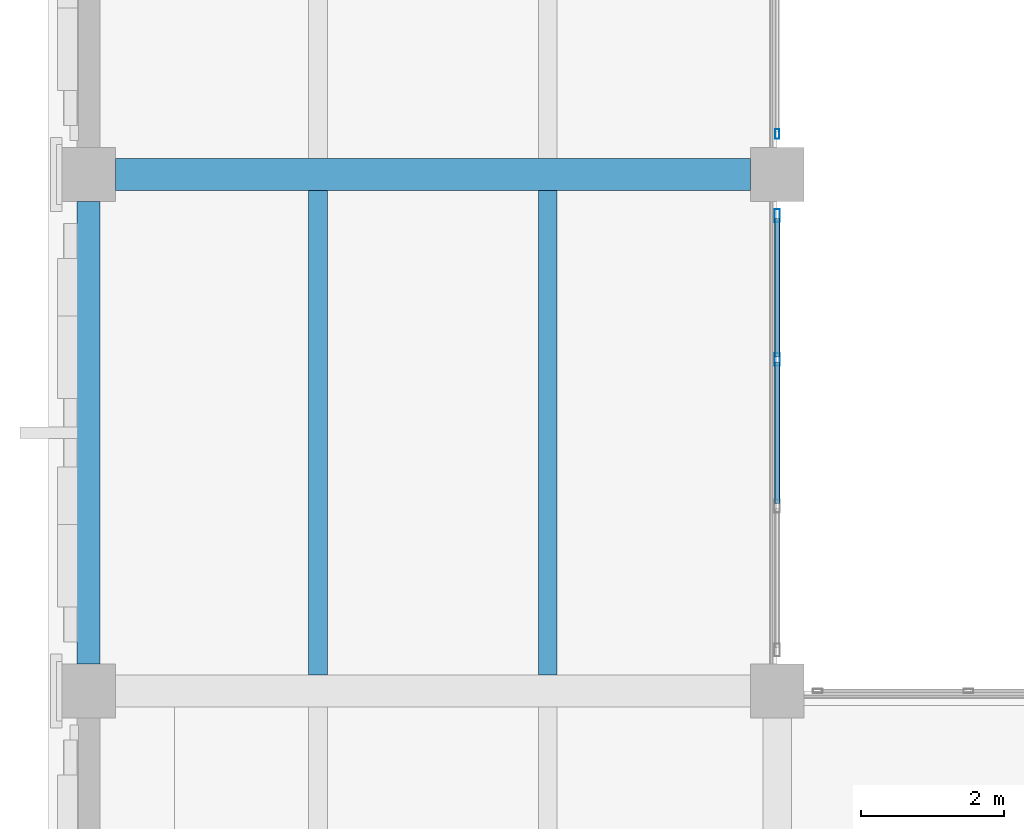
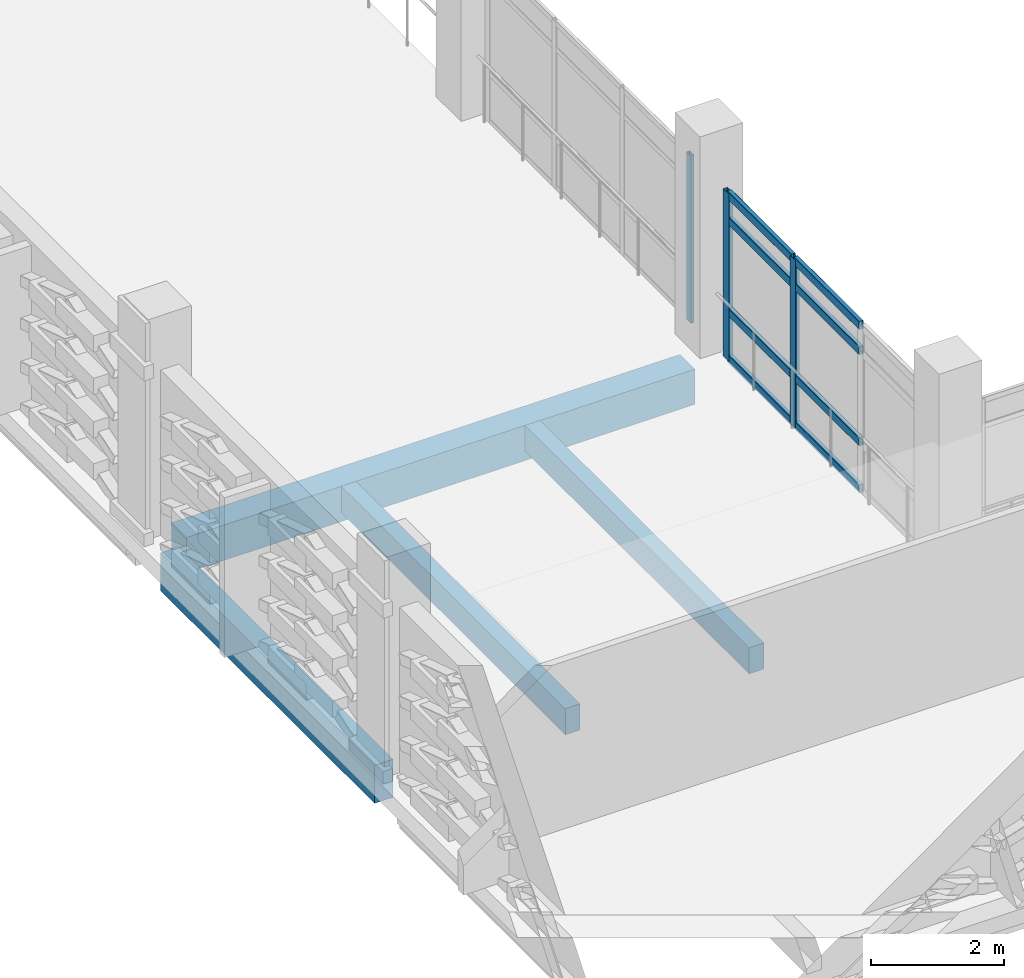
# One storey, part 85 of 180: 11 members, 4 beams, 2 elements without a shape of their own.
"""IFC4 building model written with IfcOpenShell, lengths in metres."""

from ifc_helpers import new_model, si_unit, direction, frame, origin, origin_2d, place, context, subcontext, project, spatial, rectangle, hollow_rectangle, extrude, material, layer, layer_set, material_profile, profile_set, type_object, element, aggregate, save


model = new_model("IFC4")

# Units and contexts
model_context = context("Model", 3, precision=1e-05, world=origin(), true_north=direction((0.0, 1.0)))
body_context = subcontext(model_context, "Body", "Model", "MODEL_VIEW")
ifc_project = project(units=[si_unit("LENGTHUNIT", "METRE"), si_unit("AREAUNIT", "SQUARE_METRE"), si_unit("VOLUMEUNIT", "CUBIC_METRE"), si_unit("PLANEANGLEUNIT", "RADIAN"), si_unit("MASSUNIT", "GRAM", prefix="KILO")], contexts=[model_context])

# Site, building, storey
site_placement = place(None, origin())
site = spatial("IfcSite", under=ifc_project, at=site_placement, CompositionType="ELEMENT")
building_placement = place(site_placement, origin())
building = spatial("IfcBuilding", under=site, at=building_placement, Name="Asteropetra Specialist Clinic", CompositionType="ELEMENT")
storey_placement = place(building_placement, frame((0.0, 0.0, 4.419921875)))
storey = spatial("IfcBuildingStorey", under=building, at=storey_placement, Name="L01", CompositionType="ELEMENT", Elevation=4.419921875)

# Beam
ifc_material_1 = material(Name="Concrete C35/45", Category="concrete")
ifc_material_profile_1 = material_profile(ifc_material_1, rectangle(XDim=0.449951171875, YDim=0.64990234375, at=origin_2d()), Name="RCB 450x650")
ifc_profile_set_1 = profile_set([ifc_material_profile_1], Name="Concrete C35/45")
beam_type_1 = type_object("IfcBeamType", Name="BM-RC450x650", PredefinedType="BEAM", material=ifc_profile_set_1)
beam_1_placement = place(storey_placement, frame((0.375, 84.0, -0.60498046875), z_axis=(1.0, 0.0, 0.0), x_axis=(0.0, 1.0, 0.0)))
element("IfcBeam", 1, at=beam_1_placement, inside=storey, type_object=beam_type_1, Name="Beam BBM06-0638", PredefinedType="BEAM", context=body_context, shape_type="SweptSolid", body=[
    extrude(rectangle(XDim=0.449951171875, YDim=0.64990234375, at=origin_2d()), origin(), (0.0, 0.0, 1.0), 8.85009765625),
])

# Curtain wall, member
ifc_material_2 = material(Name="Aluminium and low-E glass", Category="aluminium")
ifc_layer_1 = layer(ifc_material_2, 0.14990234375)
ifc_layer_set_1 = layer_set([ifc_layer_1], Name="Aluminium and low-E glass")
curtain_wall_type_1 = type_object("IfcCurtainWallType", Name="CW-SYS-05", PredefinedType="USERDEFINED", material=ifc_layer_set_1)
curtain_wall_1_placement = place(storey_placement, origin())
curtain_wall_1 = element("IfcCurtainWall", 2, at=curtain_wall_1_placement, inside=storey, type_object=curtain_wall_type_1, Name="Curtain Wall CW-023", ObjectType="UNITISED CURTAIN WALL", PredefinedType="USERDEFINED")
ifc_material_3 = material(Name="Aluminium 6063-T6", Category="aluminium")
ifc_material_profile_2 = material_profile(ifc_material_3, hollow_rectangle(XDim=0.06005859375, YDim=0.135009765625, WallThickness=0.00341796875, InnerFilletRadius=0.00341796875, OuterFilletRadius=0.007080078125, at=origin_2d()), Name="MUL 135x60x3.5")
ifc_profile_set_2 = profile_set([ifc_material_profile_2], Name="Aluminium 6063-T6")
member_type_1 = type_object("IfcMemberType", Name="CWM-135x60", PredefinedType="MULLION", material=ifc_profile_set_2)
member_1_placement = place(storey_placement, frame((9.60009765625, 84.56494140625, 0.0), z_axis=(0.0, 0.0, 1.0), x_axis=(1.0, 0.0, 0.0)))
member_1 = element("IfcMember", 3, at=member_1_placement, type_object=member_type_1, Name="CW-023 mullion 4", PredefinedType="MULLION", context=body_context, shape_type="SweptSolid", body=[
    extrude(hollow_rectangle(XDim=0.06005859375, YDim=0.135009765625, WallThickness=0.00341796875, InnerFilletRadius=0.00341796875, OuterFilletRadius=0.007080078125, at=origin_2d()), origin(), (0.0, 0.0, 1.0), 3.080078125),
])
aggregate(curtain_wall_1, [member_1])

# Curtain wall, members
ifc_material_4 = material(Name="Aluminium and low-E glass", Category="aluminium")
ifc_layer_2 = layer(ifc_material_4, 0.179931640625)
ifc_layer_set_2 = layer_set([ifc_layer_2], Name="Aluminium and low-E glass")
curtain_wall_type_2 = type_object("IfcCurtainWallType", Name="CW-SYS-04", PredefinedType="USERDEFINED", material=ifc_layer_set_2)
curtain_wall_2_placement = place(storey_placement, origin())
curtain_wall_2 = element("IfcCurtainWall", 4, at=curtain_wall_2_placement, inside=storey, type_object=curtain_wall_type_2, Name="Curtain Wall CW-021", ObjectType="UNITISED CURTAIN WALL", PredefinedType="USERDEFINED")
ifc_material_5 = material(Name="Aluminium 6063-T6", Category="aluminium")
ifc_material_profile_3 = material_profile(ifc_material_5, hollow_rectangle(XDim=0.074951171875, YDim=0.179931640625, WallThickness=0.00390625, InnerFilletRadius=0.00390625, OuterFilletRadius=0.008056640625, at=origin_2d()), Name="MUL 180x75x4.0")
ifc_profile_set_3 = profile_set([ifc_material_profile_3], Name="Aluminium 6063-T6")
member_type_2 = type_object("IfcMemberType", Name="CWM-180x75", PredefinedType="MULLION", material=ifc_profile_set_3)
member_2_placement = place(storey_placement, frame((9.60009765625, 83.427490234375, 0.0), z_axis=(0.0, 0.0, 1.0), x_axis=(1.0, 0.0, 0.0)))
member_2 = element("IfcMember", 5, at=member_2_placement, type_object=member_type_2, Name="CW-021 mullion 1", PredefinedType="MULLION", context=body_context, shape_type="SweptSolid", body=[
    extrude(hollow_rectangle(XDim=0.074951171875, YDim=0.179931640625, WallThickness=0.00390625, InnerFilletRadius=0.00390625, OuterFilletRadius=0.008056640625, at=origin_2d()), origin(), (0.0, 0.0, 1.0), 3.080078125),
])
member_3_placement = place(storey_placement, frame((9.60009765625, 81.421630859375, 0.0), z_axis=(0.0, 0.0, 1.0), x_axis=(1.0, 0.0, 0.0)))
member_3 = element("IfcMember", 6, at=member_3_placement, type_object=member_type_2, Name="CW-021 mullion 2", PredefinedType="MULLION", context=body_context, shape_type="SweptSolid", body=[
    extrude(hollow_rectangle(XDim=0.074951171875, YDim=0.179931640625, WallThickness=0.00390625, InnerFilletRadius=0.00390625, OuterFilletRadius=0.008056640625, at=origin_2d()), origin(), (0.0, 0.0, 1.0), 3.080078125),
])
ifc_material_6 = material(Name="Aluminium 6063-T6", Category="aluminium")
ifc_material_profile_4 = material_profile(ifc_material_6, hollow_rectangle(XDim=0.074951171875, YDim=0.14990234375, WallThickness=0.00390625, InnerFilletRadius=0.00390625, OuterFilletRadius=0.008056640625, at=origin_2d()), Name="TRN 150x75x4.0")
ifc_profile_set_4 = profile_set([ifc_material_profile_4], Name="Aluminium 6063-T6")
member_type_3 = type_object("IfcMemberType", Name="CWT-150x75", PredefinedType="USERDEFINED", material=ifc_profile_set_4)
member_4_placement = place(storey_placement, frame((9.60009765625, 83.389892578125, 0.03759765625), z_axis=(0.0, -1.0, 0.0), x_axis=(1.0, 0.0, 0.0)))
member_4 = element("IfcMember", 7, at=member_4_placement, type_object=member_type_3, Name="CW-021 transom 1.1", ObjectType="TRANSOM", PredefinedType="USERDEFINED", context=body_context, shape_type="SweptSolid", body=[
    extrude(hollow_rectangle(XDim=0.074951171875, YDim=0.14990234375, WallThickness=0.00390625, InnerFilletRadius=0.00390625, OuterFilletRadius=0.008056640625, at=origin_2d()), origin(), (0.0, 0.0, 1.0), 1.9306640625),
])
member_5_placement = place(storey_placement, frame((9.60009765625, 83.389892578125, 0.900146484375), z_axis=(0.0, -1.0, 0.0), x_axis=(1.0, 0.0, 0.0)))
member_5 = element("IfcMember", 8, at=member_5_placement, type_object=member_type_3, Name="CW-021 transom 1.2", ObjectType="TRANSOM", PredefinedType="USERDEFINED", context=body_context, shape_type="SweptSolid", body=[
    extrude(hollow_rectangle(XDim=0.074951171875, YDim=0.14990234375, WallThickness=0.00390625, InnerFilletRadius=0.00390625, OuterFilletRadius=0.008056640625, at=origin_2d()), origin(), (0.0, 0.0, 1.0), 1.9306640625),
])
member_6_placement = place(storey_placement, frame((9.60009765625, 83.389892578125, 2.580078125), z_axis=(0.0, -1.0, 0.0), x_axis=(1.0, 0.0, 0.0)))
member_6 = element("IfcMember", 9, at=member_6_placement, type_object=member_type_3, Name="CW-021 transom 1.3", ObjectType="TRANSOM", PredefinedType="USERDEFINED", context=body_context, shape_type="SweptSolid", body=[
    extrude(hollow_rectangle(XDim=0.074951171875, YDim=0.14990234375, WallThickness=0.00390625, InnerFilletRadius=0.00390625, OuterFilletRadius=0.008056640625, at=origin_2d()), origin(), (0.0, 0.0, 1.0), 1.9306640625),
])
member_7_placement = place(storey_placement, frame((9.60009765625, 83.389892578125, 3.04248046875), z_axis=(0.0, -1.0, 0.0), x_axis=(1.0, 0.0, 0.0)))
member_7 = element("IfcMember", 10, at=member_7_placement, type_object=member_type_3, Name="CW-021 transom 1.4", ObjectType="TRANSOM", PredefinedType="USERDEFINED", context=body_context, shape_type="SweptSolid", body=[
    extrude(hollow_rectangle(XDim=0.074951171875, YDim=0.14990234375, WallThickness=0.00390625, InnerFilletRadius=0.00390625, OuterFilletRadius=0.008056640625, at=origin_2d()), origin(), (0.0, 0.0, 1.0), 1.9306640625),
])
member_8_placement = place(storey_placement, frame((9.60009765625, 81.38427734375, 0.03759765625), z_axis=(0.0, -1.0, 0.0), x_axis=(1.0, 0.0, 0.0)))
member_8 = element("IfcMember", 11, at=member_8_placement, type_object=member_type_3, Name="CW-021 transom 2.1", ObjectType="TRANSOM", PredefinedType="USERDEFINED", context=body_context, shape_type="SweptSolid", body=[
    extrude(hollow_rectangle(XDim=0.074951171875, YDim=0.14990234375, WallThickness=0.00390625, InnerFilletRadius=0.00390625, OuterFilletRadius=0.008056640625, at=origin_2d()), origin(), (0.0, 0.0, 1.0), 1.968505859375),
])
member_9_placement = place(storey_placement, frame((9.60009765625, 81.38427734375, 0.900146484375), z_axis=(0.0, -1.0, 0.0), x_axis=(1.0, 0.0, 0.0)))
member_9 = element("IfcMember", 12, at=member_9_placement, type_object=member_type_3, Name="CW-021 transom 2.2", ObjectType="TRANSOM", PredefinedType="USERDEFINED", context=body_context, shape_type="SweptSolid", body=[
    extrude(hollow_rectangle(XDim=0.074951171875, YDim=0.14990234375, WallThickness=0.00390625, InnerFilletRadius=0.00390625, OuterFilletRadius=0.008056640625, at=origin_2d()), origin(), (0.0, 0.0, 1.0), 1.968505859375),
])
member_10_placement = place(storey_placement, frame((9.60009765625, 81.38427734375, 2.580078125), z_axis=(0.0, -1.0, 0.0), x_axis=(1.0, 0.0, 0.0)))
member_10 = element("IfcMember", 13, at=member_10_placement, type_object=member_type_3, Name="CW-021 transom 2.3", ObjectType="TRANSOM", PredefinedType="USERDEFINED", context=body_context, shape_type="SweptSolid", body=[
    extrude(hollow_rectangle(XDim=0.074951171875, YDim=0.14990234375, WallThickness=0.00390625, InnerFilletRadius=0.00390625, OuterFilletRadius=0.008056640625, at=origin_2d()), origin(), (0.0, 0.0, 1.0), 1.968505859375),
])
member_11_placement = place(storey_placement, frame((9.60009765625, 81.38427734375, 3.04248046875), z_axis=(0.0, -1.0, 0.0), x_axis=(1.0, 0.0, 0.0)))
member_11 = element("IfcMember", 14, at=member_11_placement, type_object=member_type_3, Name="CW-021 transom 2.4", ObjectType="TRANSOM", PredefinedType="USERDEFINED", context=body_context, shape_type="SweptSolid", body=[
    extrude(hollow_rectangle(XDim=0.074951171875, YDim=0.14990234375, WallThickness=0.00390625, InnerFilletRadius=0.00390625, OuterFilletRadius=0.008056640625, at=origin_2d()), origin(), (0.0, 0.0, 1.0), 1.968505859375),
])
aggregate(curtain_wall_2, [member_2, member_3, member_4, member_5, member_6, member_7, member_8, member_9, member_10, member_11])

# Beams
ifc_material_7 = material(Name="Concrete C35/45", Category="concrete")
ifc_material_profile_5 = material_profile(ifc_material_7, rectangle(XDim=0.260009765625, YDim=0.47998046875, at=origin_2d()), Name="RCJ 260x480")
ifc_profile_set_5 = profile_set([ifc_material_profile_5], Name="Concrete C35/45")
beam_type_2 = type_object("IfcBeamType", Name="JST-RC260x480", PredefinedType="JOIST", material=ifc_profile_set_5)
for number, where, z_axis, x_axis, name in (
    (15, (3.199951171875, 77.02490234375, -0.52001953125), (0.0, 1.0, 0.0), (-1.0, 0.0, 0.0), "Joist JJST02-0688"),
    (16, (6.39990234375, 77.02490234375, -0.52001953125), (0.0, 1.0, 0.0), (-1.0, 0.0, 0.0), "Joist JJST02-0689"),
):
    element("IfcBeam", number, at=place(storey_placement, frame(where, z_axis=z_axis, x_axis=x_axis)), inside=storey, type_object=beam_type_2, Name=name, PredefinedType="JOIST", context=body_context, shape_type="SweptSolid", body=[
        extrude(rectangle(XDim=0.260009765625, YDim=0.47998046875, at=origin_2d()), origin(), (0.0, 0.0, 1.0), 6.75),
    ])
ifc_material_8 = material(Name="Concrete C35/45", Category="concrete")
ifc_material_profile_6 = material_profile(ifc_material_8, rectangle(XDim=0.320068359375, YDim=0.699951171875, at=origin_2d()), Name="RCS 320x700")
ifc_profile_set_6 = profile_set([ifc_material_profile_6], Name="Concrete C35/45")
beam_type_3 = type_object("IfcBeamType", Name="SPN-RC320x700", PredefinedType="SPANDREL", material=ifc_profile_set_6)
beam_2_placement = place(storey_placement, frame((0.0, 77.175048828125, -0.6298828125), z_axis=(0.0, 1.0, 0.0), x_axis=(-1.0, 0.0, 0.0)))
element("IfcBeam", 17, at=beam_2_placement, inside=storey, type_object=beam_type_3, Name="Beam BSPN02-0685", PredefinedType="SPANDREL", context=body_context, shape_type="SweptSolid", body=[
    extrude(rectangle(XDim=0.320068359375, YDim=0.699951171875, at=origin_2d()), origin(), (0.0, 0.0, 1.0), 6.449951171875),
])

save(model, "model.ifc")
